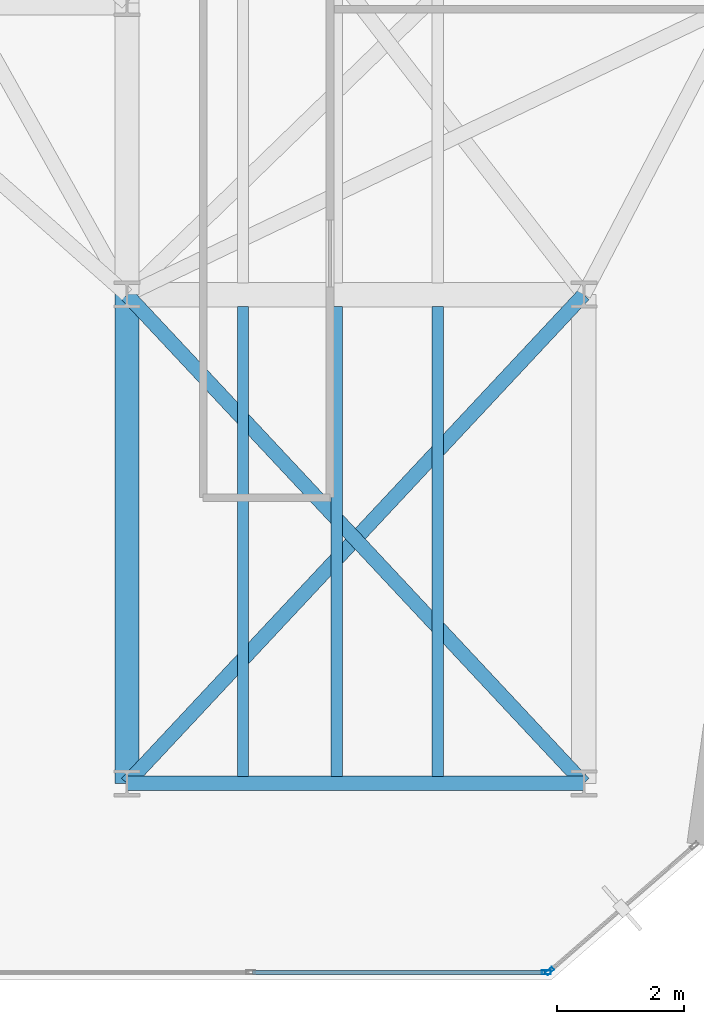
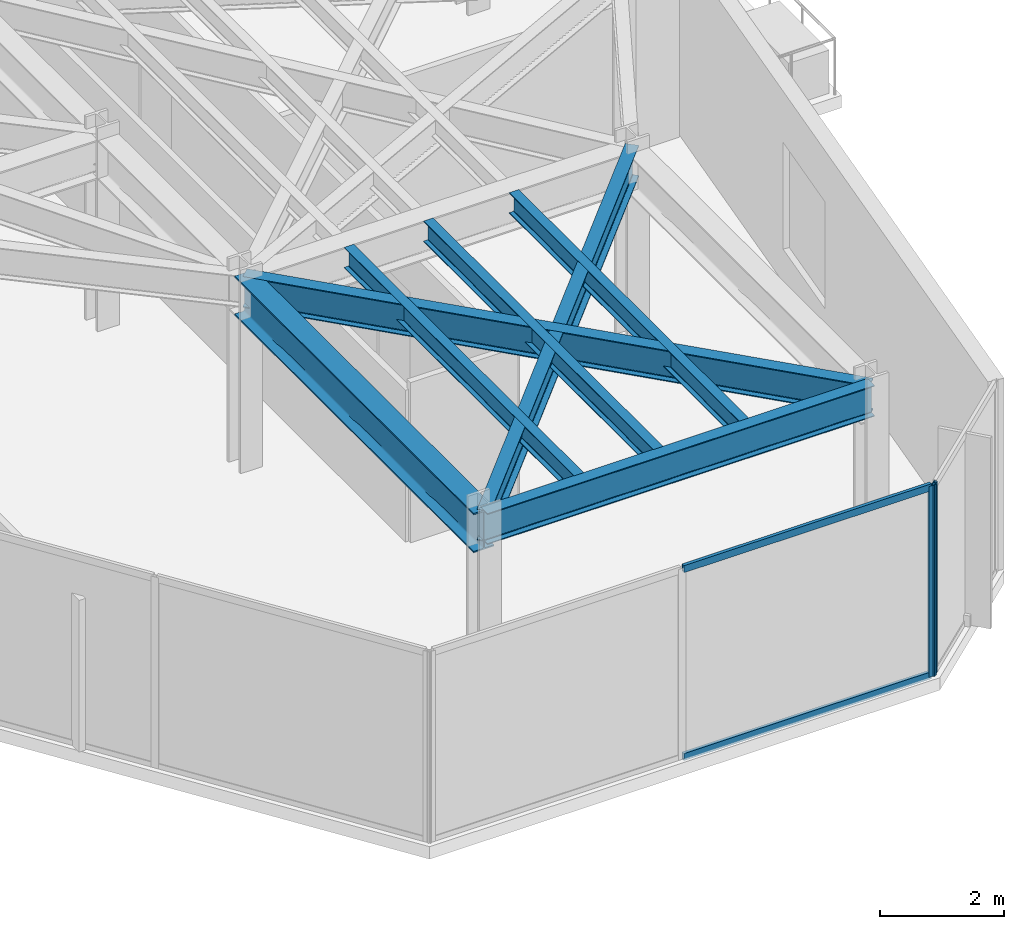
# One storey, part 17 of 26: 7 beams, 4 members, 2 elements without a shape of their own.
"""IFC4 building model written with IfcOpenShell, lengths in metres."""

from ifc_helpers import new_model, si_unit, direction, frame, origin, origin_2d, place, context, subcontext, project, spatial, hollow_rectangle, i_section, extrude, material, layer, layer_set, material_profile, profile_set, type_object, element, aggregate, save


model = new_model("IFC4")

# Units and contexts
model_context = context("Model", 3, precision=1e-05, world=origin(), true_north=direction((0.0, 1.0)))
body_context = subcontext(model_context, "Body", "Model", "MODEL_VIEW")
ifc_project = project(units=[si_unit("LENGTHUNIT", "METRE"), si_unit("AREAUNIT", "SQUARE_METRE"), si_unit("VOLUMEUNIT", "CUBIC_METRE"), si_unit("PLANEANGLEUNIT", "RADIAN"), si_unit("MASSUNIT", "GRAM", prefix="KILO")], contexts=[model_context])

# Site, building, storey
site_placement = place(None, origin())
site = spatial("IfcSite", under=ifc_project, at=site_placement, CompositionType="ELEMENT")
building_placement = place(site_placement, origin())
building = spatial("IfcBuilding", under=site, at=building_placement, Name="Kravanh Interchange Tower", CompositionType="ELEMENT")
storey_placement = place(building_placement, frame((0.0, 0.0, 180.5)))
storey = spatial("IfcBuildingStorey", under=building, at=storey_placement, Name="L43", CompositionType="ELEMENT", Elevation=180.5)

# Curtain wall, member
ifc_material_1 = material(Name="Anodised Bronze Aluminium", Category="aluminium")
ifc_layer = layer(ifc_material_1, 0.179931640625)
ifc_layer_set = layer_set([ifc_layer], Name="Unitised Curtain Wall System CW-Z3 Upper Office")
curtain_wall_type = type_object("IfcCurtainWallType", Name="Unitised Curtain Wall System CW-Z3 Upper Office", PredefinedType="NOTDEFINED", material=ifc_layer_set)
curtain_wall_1_placement = place(storey_placement, origin())
curtain_wall_1 = element("IfcCurtainWall", 1, at=curtain_wall_1_placement, inside=storey, type_object=curtain_wall_type, Name="L43 Unitised Curtain Wall CW-L43-02", PredefinedType="NOTDEFINED")
ifc_material_2 = material(Name="Anodised Bronze Aluminium", Category="aluminium")
ifc_material_profile_1 = material_profile(ifc_material_2, hollow_rectangle(XDim=0.06005859375, YDim=0.139892578125, WallThickness=0.00390625, at=origin_2d()), Name="ALU60X140X4")
ifc_profile_set_1 = profile_set([ifc_material_profile_1], Name="Anodised Bronze Aluminium")
member_type_1 = type_object("IfcMemberType", Name="Curtain Wall Mullion ALU60X140X4 Bronze", PredefinedType="MULLION", material=ifc_profile_set_1)
member_1_placement = place(storey_placement, frame((62.66357421875, 11.539794921875, 0.0), z_axis=(0.0, 0.0, 1.0), x_axis=(0.65605090137, -0.754716645379, 0.0)))
member_1 = element("IfcMember", 2, at=member_1_placement, type_object=member_type_1, Name="CW-Z3 mullion 2", PredefinedType="MULLION", context=body_context, shape_type="SweptSolid", body=[
    extrude(hollow_rectangle(XDim=0.06005859375, YDim=0.139892578125, WallThickness=0.00390625, at=origin_2d()), origin(), (0.0, 0.0, 1.0), 3.7548828125),
])
aggregate(curtain_wall_1, [member_1])

# Curtain wall, members
curtain_wall_2_placement = place(storey_placement, origin())
curtain_wall_2 = element("IfcCurtainWall", 3, at=curtain_wall_2_placement, inside=storey, type_object=curtain_wall_type, Name="L43 Unitised Curtain Wall CW-L43-03", PredefinedType="NOTDEFINED")
member_2_placement = place(storey_placement, frame((62.611083984375, 11.52001953125, 0.0), z_axis=(0.0, 0.0, 1.0), x_axis=(0.0, -1.0, 0.0)))
member_2 = element("IfcMember", 4, at=member_2_placement, type_object=member_type_1, Name="CW-Z3 mullion 1", PredefinedType="MULLION", context=body_context, shape_type="SweptSolid", body=[
    extrude(hollow_rectangle(XDim=0.06005859375, YDim=0.139892578125, WallThickness=0.00390625, at=origin_2d()), origin(), (0.0, 0.0, 1.0), 3.7548828125),
])
ifc_material_3 = material(Name="Anodised Bronze Aluminium", Category="aluminium")
ifc_material_profile_2 = material_profile(ifc_material_3, hollow_rectangle(XDim=0.06005859375, YDim=0.139892578125, WallThickness=0.00390625, at=origin_2d()), Name="ALU60X140X4")
ifc_profile_set_2 = profile_set([ifc_material_profile_2], Name="Anodised Bronze Aluminium")
member_type_2 = type_object("IfcMemberType", Name="Curtain Wall Transom ALU60X140X4 Bronze", PredefinedType="USERDEFINED", material=ifc_profile_set_2)
member_3_placement = place(storey_placement, frame((62.5810546875, 11.52001953125, 0.030029296875), z_axis=(-1.0, 0.0, 0.0), x_axis=(0.0, -1.0, 0.0)))
member_3 = element("IfcMember", 5, at=member_3_placement, type_object=member_type_2, Name="CW-Z3 transom 1.1", ObjectType="TRANSOM", PredefinedType="USERDEFINED", context=body_context, shape_type="SweptSolid", body=[
    extrude(hollow_rectangle(XDim=0.06005859375, YDim=0.139892578125, WallThickness=0.00390625, at=origin_2d()), origin(), (0.0, 0.0, 1.0), 4.59912109375),
])
member_4_placement = place(storey_placement, frame((62.5810546875, 11.52001953125, 3.72509765625), z_axis=(-1.0, 0.0, 0.0), x_axis=(0.0, -1.0, 0.0)))
member_4 = element("IfcMember", 6, at=member_4_placement, type_object=member_type_2, Name="CW-Z3 transom 1.2", ObjectType="TRANSOM", PredefinedType="USERDEFINED", context=body_context, shape_type="SweptSolid", body=[
    extrude(hollow_rectangle(XDim=0.06005859375, YDim=0.139892578125, WallThickness=0.00390625, at=origin_2d()), origin(), (0.0, 0.0, 1.0), 4.59912109375),
])
aggregate(curtain_wall_2, [member_2, member_3, member_4])

# Beams
ifc_material_4 = material(Name="Structural Steel S355", Category="steel")
ifc_material_profile_3 = material_profile(ifc_material_4, i_section(OverallWidth=0.381103515625, OverallDepth=0.77294921875, WebThickness=0.0166015625, FlangeThickness=0.027099609375, FilletRadius=0.02490234375, at=origin_2d()), Name="W30X173")
ifc_profile_set_3 = profile_set([ifc_material_profile_3], Name="Structural Steel S355")
beam_type_1 = type_object("IfcBeamType", Name="Floor Beam W30X173 Structural Steel S355", PredefinedType="BEAM", material=ifc_profile_set_3)
beam_1_placement = place(storey_placement, frame((56.0, 14.5, 3.368408203125), z_axis=(0.0, 1.0, 0.0), x_axis=(-1.0, 0.0, 0.0)))
element("IfcBeam", 7, at=beam_1_placement, inside=storey, type_object=beam_type_1, Name="L43 Primary Floor Girder 87", PredefinedType="BEAM", context=body_context, shape_type="SweptSolid", body=[
    extrude(i_section(OverallWidth=0.381103515625, OverallDepth=0.77294921875, WebThickness=0.0166015625, FlangeThickness=0.027099609375, FilletRadius=0.02490234375, at=origin_2d()), origin(), (0.0, 0.0, 1.0), 7.699951171875),
])
ifc_material_5 = material(Name="Structural Steel S355", Category="steel")
ifc_material_profile_4 = material_profile(ifc_material_5, i_section(OverallWidth=0.177978515625, OverallDepth=0.406005859375, WebThickness=0.0078125, FlangeThickness=0.0126953125, FilletRadius=0.01611328125, at=origin_2d()), Name="W16X40")
ifc_profile_set_4 = profile_set([ifc_material_profile_4], Name="Structural Steel S355")
beam_type_2 = type_object("IfcBeamType", Name="Floor Joist W16X40 Structural Steel S355", PredefinedType="JOIST", material=ifc_profile_set_4)
for number, where, z_axis, x_axis, name in (
    (8, (57.830078125, 14.60888671875, 3.552001953125), (0.0, 1.0, 0.0), (-1.0, 0.0, 0.0), "L43 Secondary Floor Joist 4"),
    (9, (59.304931640625, 14.60888671875, 3.552001953125), (0.0, 1.0, 0.0), (-1.0, 0.0, 0.0), "L43 Secondary Floor Joist 5"),
    (10, (60.89794921875, 14.60888671875, 3.552001953125), (0.0, 1.0, 0.0), (-1.0, 0.0, 0.0), "L43 Secondary Floor Joist 6"),
):
    element("IfcBeam", number, at=place(storey_placement, frame(where, z_axis=z_axis, x_axis=x_axis)), inside=storey, type_object=beam_type_2, Name=name, PredefinedType="JOIST", context=body_context, shape_type="SweptSolid", body=[
        extrude(i_section(OverallWidth=0.177978515625, OverallDepth=0.406005859375, WebThickness=0.0078125, FlangeThickness=0.0126953125, FilletRadius=0.01611328125, at=origin_2d()), origin(), (0.0, 0.0, 1.0), 7.405517578125),
    ])
ifc_material_6 = material(Name="Structural Steel S355", Category="steel")
ifc_material_profile_5 = material_profile(ifc_material_6, i_section(OverallWidth=0.22802734375, OverallDepth=0.60791015625, WebThickness=0.01123046875, FlangeThickness=0.017333984375, FilletRadius=0.02197265625, at=origin_2d()), Name="W24X76")
ifc_profile_set_5 = profile_set([ifc_material_profile_5], Name="Structural Steel S355")
beam_type_3 = type_object("IfcBeamType", Name="Floor Spandrel W24X76 Structural Steel S355", PredefinedType="SPANDREL", material=ifc_profile_set_5)
beam_2_placement = place(storey_placement, frame((56.0, 14.5, 3.450927734375), z_axis=(1.0, 0.0, 0.0), x_axis=(0.0, 1.0, 0.0)))
element("IfcBeam", 11, at=beam_2_placement, inside=storey, type_object=beam_type_3, Name="L43 Perimeter Spandrel 86", PredefinedType="SPANDREL", context=body_context, shape_type="SweptSolid", body=[
    extrude(i_section(OverallWidth=0.22802734375, OverallDepth=0.60791015625, WebThickness=0.01123046875, FlangeThickness=0.017333984375, FilletRadius=0.02197265625, at=origin_2d()), origin(), (0.0, 0.0, 1.0), 7.199951171875),
])
for number, where, z_axis, x_axis, name in (
    (12, (56.0, 14.5, 3.450927734375), (0.682993762113, 0.73042420614, 0.0), (-0.73042420614, 0.682993762113, 0.0), "L43 Perimeter Spandrel 88"),
    (13, (63.199951171875, 14.5, 3.450927734375), (-0.682993762113, 0.73042420614, 0.0), (-0.73042420614, -0.682993762113, 0.0), "L43 Perimeter Spandrel 90"),
):
    element("IfcBeam", number, at=place(storey_placement, frame(where, z_axis=z_axis, x_axis=x_axis)), inside=storey, type_object=beam_type_3, Name=name, PredefinedType="SPANDREL", context=body_context, shape_type="SweptSolid", body=[
        extrude(i_section(OverallWidth=0.22802734375, OverallDepth=0.60791015625, WebThickness=0.01123046875, FlangeThickness=0.017333984375, FilletRadius=0.02197265625, at=origin_2d()), origin(), (0.0, 0.0, 1.0), 10.541748046875),
    ])

save(model, "model.ifc")
